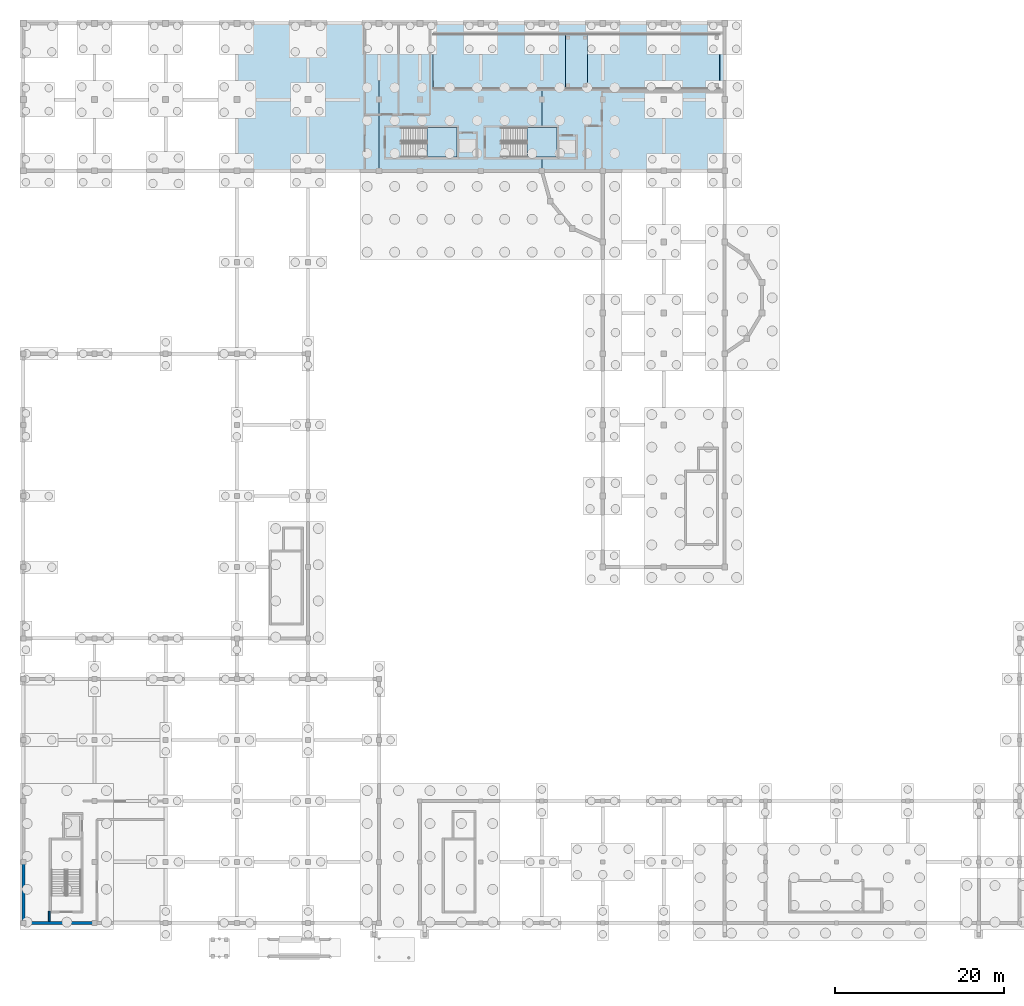
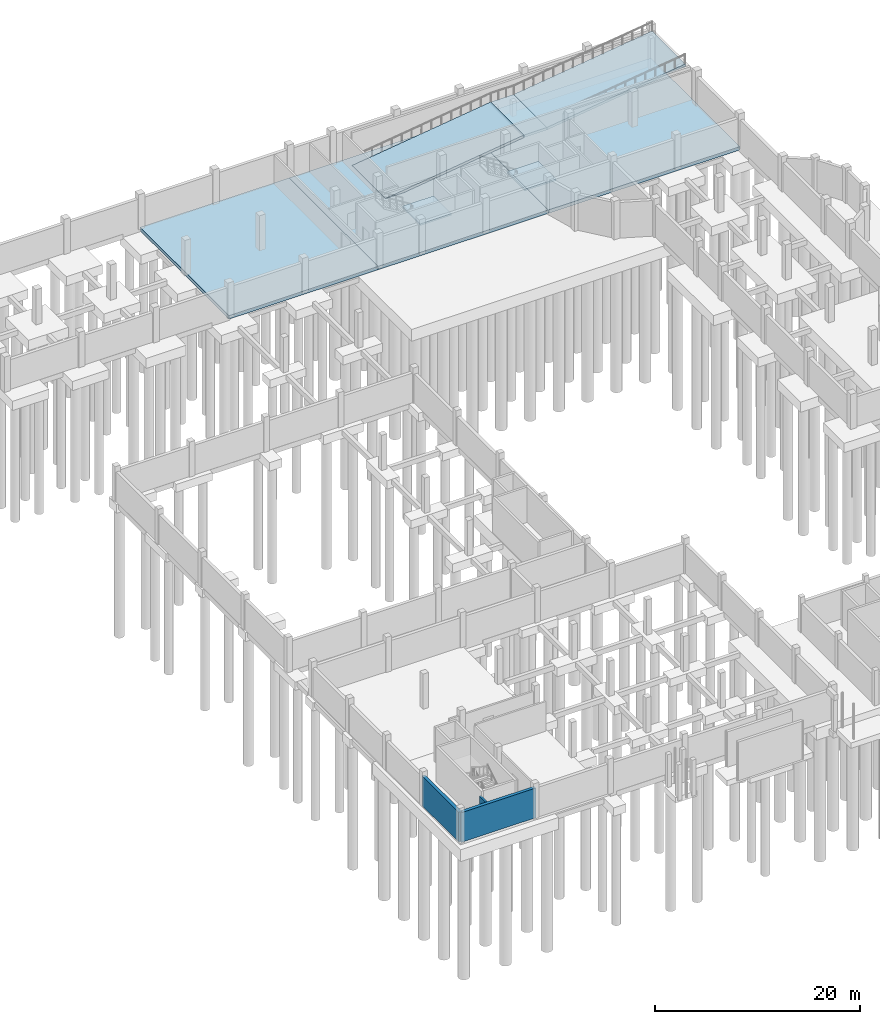
# One storey, part 14 of 22: 8 slabs, 3 walls, 2 elements without a shape of their own.
"""IFC4 building model written with IfcOpenShell, lengths in metres."""

from ifc_helpers import new_model, si_unit, direction, frame, frame_2d, origin, place, context, subcontext, project, spatial, polyline, rectangle, outline, extrude, material, layer, layer_set, type_object, element, aggregate, save


model = new_model("IFC4")

# Units and contexts
model_context = context("Model", 3, precision=1e-05, world=origin(), true_north=direction((0.0, 1.0)))
body_context = subcontext(model_context, "Body", "Model", "MODEL_VIEW")
ifc_project = project(units=[si_unit("LENGTHUNIT", "METRE"), si_unit("AREAUNIT", "SQUARE_METRE"), si_unit("VOLUMEUNIT", "CUBIC_METRE"), si_unit("PLANEANGLEUNIT", "RADIAN"), si_unit("MASSUNIT", "GRAM", prefix="KILO")], contexts=[model_context])

# Site, building, storey
site_placement = place(None, origin())
site = spatial("IfcSite", under=ifc_project, at=site_placement, CompositionType="ELEMENT")
building_placement = place(site_placement, origin())
building = spatial("IfcBuilding", under=site, at=building_placement, Name="Kahlenmark Community Centre", CompositionType="ELEMENT")
storey_placement = place(building_placement, frame((0.0, 0.0, -4.199951171875)))
storey = spatial("IfcBuildingStorey", under=building, at=storey_placement, Name="B1", CompositionType="ELEMENT", Elevation=-4.199951171875)

# Stair, slab
ifc_material_1 = material(Name="Concrete C35/45", Category="concrete")
stair_type_1 = type_object("IfcStairType", Name="STT-CORE-ST-04-175", PredefinedType="HALF_TURN_STAIR", material=ifc_material_1)
stair_1_placement = place(storey_placement, origin())
stair_1 = element("IfcStair", 1, at=stair_1_placement, inside=storey, type_object=stair_type_1, Name="B1 Core K4 Escape Stair ST-04", PredefinedType="HALF_TURN_STAIR")
ifc_layer_1 = layer(ifc_material_1, 0.199951171875)
ifc_layer_set_1 = layer_set([ifc_layer_1], Name="Concrete C35/45")
slab_type_1 = type_object("IfcSlabType", Name="SLT-CORE-200", PredefinedType="LANDING", material=ifc_layer_set_1)
slab_1_placement = place(storey_placement, frame((0.0, 0.0, 1.89990234375)))
slab_1 = element("IfcSlab", 2, at=slab_1_placement, type_object=slab_type_1, Name="ST-04 landing 1", PredefinedType="LANDING", context=body_context, shape_type="SweptSolid", body=[
    extrude(outline(polyline([(51.679931640625, 99.199951171875), (55.199951171875, 99.199951171875), (55.199951171875, 102.699951171875), (51.679931640625, 102.699951171875), (51.679931640625, 99.199951171875)])), origin(), (0.0, 0.0, 1.0), 0.199951171875),
])
aggregate(stair_1, [slab_1])

stair_type_2 = type_object("IfcStairType", Name="STT-CORE-ST-05-175", PredefinedType="HALF_TURN_STAIR", material=ifc_material_1)
stair_2_placement = place(storey_placement, origin())
stair_2 = element("IfcStair", 3, at=stair_2_placement, inside=storey, type_object=stair_type_2, Name="B1 Core K5 Escape Stair ST-05", PredefinedType="HALF_TURN_STAIR")
slab_2_placement = place(storey_placement, frame((0.0, 0.0, 1.89990234375)))
slab_2 = element("IfcSlab", 4, at=slab_2_placement, type_object=slab_type_1, Name="ST-05 landing 1", PredefinedType="LANDING", context=body_context, shape_type="SweptSolid", body=[
    extrude(outline(polyline([(63.47998046875, 99.199951171875), (67.0, 99.199951171875), (67.0, 102.699951171875), (63.47998046875, 102.699951171875), (63.47998046875, 99.199951171875)])), origin(), (0.0, 0.0, 1.0), 0.199951171875),
])
aggregate(stair_2, [slab_2])

# Slabs
ifc_layer_2 = layer(ifc_material_1, 0.300048828125)
ifc_layer_set_2 = layer_set([ifc_layer_2], Name="Concrete C35/45")
slab_type_2 = type_object("IfcSlabType", Name="SLT-RMP-300", PredefinedType="LANDING", material=ifc_layer_set_2)
slab_3_placement = place(storey_placement, frame((0.0, 0.0, 1.800048828125)))
element("IfcSlab", 5, at=slab_3_placement, inside=storey, type_object=slab_type_2, Name="Car park vehicle ramp intermediate landing slab", PredefinedType="LANDING", context=body_context, shape_type="SweptSolid", body=[
    extrude(outline(polyline([(68.0, 107.25), (70.60009765625, 107.25), (70.60009765625, 113.75), (68.0, 113.75), (68.0, 107.25)])), origin(), (0.0, 0.0, 1.0), 0.2998046875),
])
ifc_layer_3 = layer(ifc_material_1, 0.300048828125)
ifc_layer_set_3 = layer_set([ifc_layer_3], Name="Concrete C35/45")
slab_type_3 = type_object("IfcSlabType", Name="SLT-VRAMP-300", PredefinedType="FLOOR", material=ifc_layer_set_3)
slab_4_placement = place(storey_placement, frame((52.39990234375, 107.25, 0.0), z_axis=(-0.133402051441, 0.0, 0.991062002435), x_axis=(0.991062002435, 0.0, 0.133402051441)))
element("IfcSlab", 6, at=slab_4_placement, inside=storey, type_object=slab_type_3, Name="Car park vehicle ramp lower structural slab", PredefinedType="FLOOR", context=body_context, shape_type="SweptSolid", body=[
    extrude(outline(polyline([(0.0, 0.0), (15.740788788101423, 0.0), (15.740788788101423, 6.500000000000002), (0.0, 6.500000000000002), (0.0, 0.0)])), origin(), (0.0, 0.0, -1.0), 0.300048828125),
])
slab_5_placement = place(storey_placement, frame((70.60009765625, 107.25, 2.099853515625), z_axis=(-0.133419336275, 0.0, 0.991059675654), x_axis=(0.991059675654, 0.0, 0.133419336275)))
element("IfcSlab", 7, at=slab_5_placement, inside=storey, type_object=slab_type_3, Name="Car park vehicle ramp upper structural slab", PredefinedType="FLOOR", context=body_context, shape_type="SweptSolid", body=[
    extrude(outline(polyline([(0.0, 0.0), (15.740579400858929, 0.0), (15.740579400858929, 6.5), (0.0, 6.5), (0.0, 0.0)])), origin(), (0.0, 0.0, -1.0), 0.300048828125),
])
ifc_material_2 = material(Name="Concrete C30/37", Category="concrete")
ifc_layer_4 = layer(ifc_material_2, 0.39990234375)
ifc_layer_set_4 = layer_set([ifc_layer_4], Name="Concrete C30/37")
slab_type_4 = type_object("IfcSlabType", Name="ST-BS-400", PredefinedType="BASESLAB", material=ifc_layer_set_4)
slab_6_placement = place(storey_placement, frame((0.0, 0.0, -0.400146484375)))
element("IfcSlab", 8, at=slab_6_placement, inside=storey, type_object=slab_type_4, Name="B1 waterproof base slab V4N-1", PredefinedType="BASESLAB", context=body_context, shape_type="SweptSolid", body=[
    extrude(outline(polyline([(29.199951171875, 97.60009765625), (46.0, 97.60009765625), (46.0, 115.0), (29.199951171875, 115.0), (29.199951171875, 97.60009765625)])), origin(), (0.0, 0.0, 1.0), 0.400146484375),
])
slab_7_placement = place(storey_placement, frame((0.0, 0.0, -0.400146484375)))
element("IfcSlab", 9, at=slab_7_placement, inside=storey, type_object=slab_type_4, Name="B1 waterproof base slab V4N-2", PredefinedType="BASESLAB", context=body_context, shape_type="SweptSolid", body=[
    extrude(outline(polyline([(46.0, 97.60009765625), (65.199951171875, 97.60009765625), (65.199951171875, 115.0), (46.0, 115.0), (46.0, 97.60009765625)]), holes=[polyline([(52.3798828125, 107.22998046875), (54.719970703125, 107.22998046875), (54.719970703125, 113.77001953125), (52.3798828125, 113.77001953125), (52.3798828125, 107.22998046875)])]), origin(), (0.0, 0.0, 1.0), 0.400146484375),
])
slab_8_placement = place(storey_placement, frame((0.0, 0.0, -0.400146484375)))
element("IfcSlab", 10, at=slab_8_placement, inside=storey, type_object=slab_type_4, Name="B1 waterproof base slab V4N-3", PredefinedType="BASESLAB", context=body_context, shape_type="SweptSolid", body=[
    extrude(outline(polyline([(65.199951171875, 97.60009765625), (86.800048828125, 97.60009765625), (86.800048828125, 115.0), (65.199951171875, 115.0), (65.199951171875, 97.60009765625)])), origin(), (0.0, 0.0, 1.0), 0.400146484375),
])

# Walls
ifc_layer_5 = layer(ifc_material_1, 0.360107421875)
ifc_layer_set_5 = layer_set([ifc_layer_5], Name="Concrete C35/45")
wall_type_1 = type_object("IfcWallType", Name="WT-EW-B1-360", PredefinedType="SOLIDWALL", material=ifc_layer_set_5)
wall_1_placement = place(storey_placement, frame((4.0, 8.800048828125, 0.0), z_axis=(0.0, 0.0, 1.0), x_axis=(1.0, 0.0, 0.0)))
element("IfcWall", 11, at=wall_1_placement, inside=storey, type_object=wall_type_1, Name="B1 foundation wall 0001", PredefinedType="SOLIDWALL", context=body_context, shape_type="SweptSolid", body=[
    extrude(rectangle(XDim=8.39990234375, YDim=0.360107421875, at=frame_2d((4.199951171875, 0.0))), origin(), (0.0, 0.0, 1.0), 3.5400390625),
])
wall_2_placement = place(storey_placement, frame((4.0, 8.800048828125, 0.0), z_axis=(0.0, 0.0, 1.0), x_axis=(0.0, 1.0, 0.0)))
element("IfcWall", 12, at=wall_2_placement, inside=storey, type_object=wall_type_1, Name="B1 foundation wall 0011", PredefinedType="SOLIDWALL", context=body_context, shape_type="SweptSolid", body=[
    extrude(rectangle(XDim=7.199951171875, YDim=0.360107421875, at=frame_2d((3.60009765625, 0.0))), origin(), (0.0, 0.0, 1.0), 3.5400390625),
])
ifc_material_3 = material(Name="Masonry blockwork", Category="masonry")
ifc_layer_6 = layer(ifc_material_3, 0.199951171875)
ifc_layer_set_6 = layer_set([ifc_layer_6], Name="Masonry blockwork")
wall_type_2 = type_object("IfcWallType", Name="WT-PW-200", PredefinedType="PARTITIONING", material=ifc_layer_set_6)
wall_3_placement = place(storey_placement, frame((7.050048828125, 8.97998046875, 0.0), z_axis=(0.0, 0.0, 1.0), x_axis=(0.0, 1.0, 0.0)))
element("IfcWall", 13, at=wall_3_placement, inside=storey, type_object=wall_type_2, Name="Interior partition WL-INT-B1-0001", PredefinedType="PARTITIONING", context=body_context, shape_type="SweptSolid", body=[
    extrude(rectangle(XDim=1.219970703125, YDim=0.199951171875, at=frame_2d((0.60986328125, 0.0))), origin(), (0.0, 0.0, 1.0), 3.5400390625),
])

save(model, "model.ifc")
